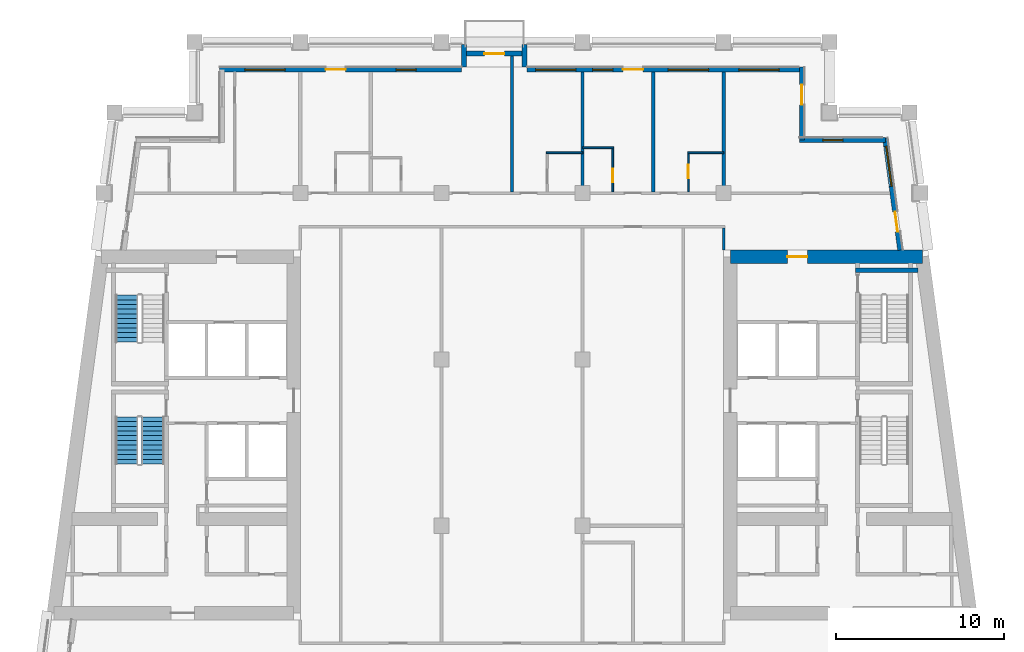
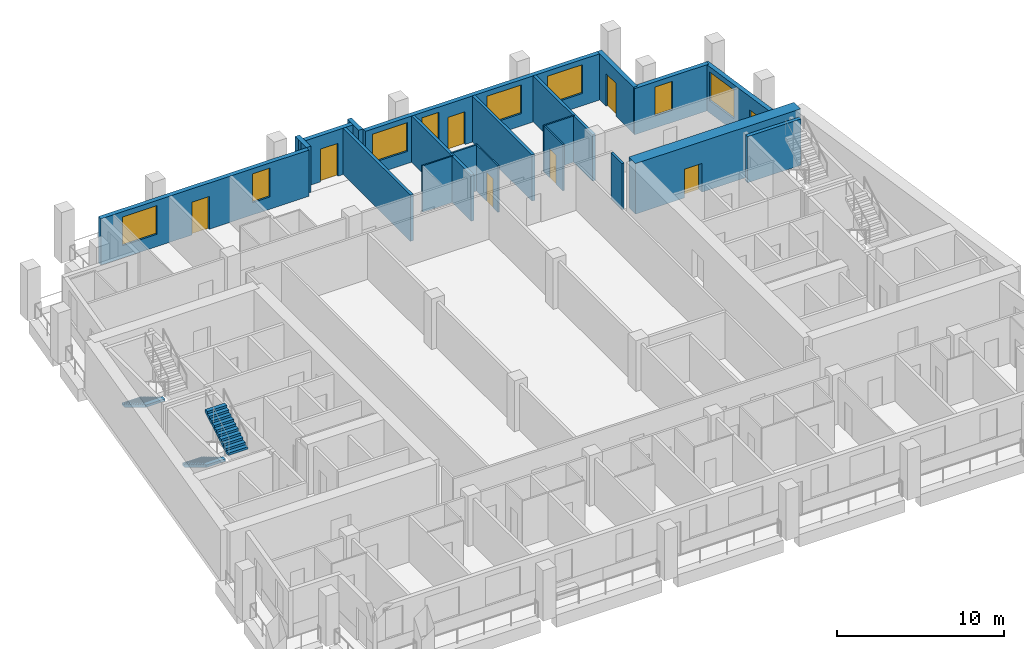
# One storey, part 7 of 13: 20 walls, 8 doors, 8 windows, 3 stair flights, 16 openings, 2 elements without a shape of their own.
"""IFC4 building model written with IfcOpenShell, lengths in metres."""

from ifc_helpers import new_model, si_unit, direction, frame, frame_2d, origin, place, context, subcontext, project, spatial, polyline, rectangle, outline, extrude, material, layer, layer_set, type_object, element, fill, aggregate, save


model = new_model("IFC4")

# Units and contexts
model_context = context("Model", 3, precision=1e-05, world=origin(), true_north=direction((0.0, 1.0)))
body_context = subcontext(model_context, "Body", "Model", "MODEL_VIEW")
ifc_project = project(units=[si_unit("LENGTHUNIT", "METRE"), si_unit("AREAUNIT", "SQUARE_METRE"), si_unit("VOLUMEUNIT", "CUBIC_METRE"), si_unit("PLANEANGLEUNIT", "RADIAN"), si_unit("MASSUNIT", "GRAM", prefix="KILO")], contexts=[model_context])

# Site, building, storey
site_placement = place(None, origin())
site = spatial("IfcSite", under=ifc_project, at=site_placement, CompositionType="ELEMENT")
building_placement = place(site_placement, origin())
building = spatial("IfcBuilding", under=site, at=building_placement, Name="Candeia Pilgrim Tower and Theatre", CompositionType="ELEMENT")
storey_placement = place(building_placement, frame((0.0, 0.0, 202.199951171875)))
storey = spatial("IfcBuildingStorey", under=building, at=storey_placement, Name="L48", CompositionType="ELEMENT", Elevation=202.199951171875)

# Wall, opening, door
ifc_material_1 = material(Name="Concrete C50/60", Category="concrete")
ifc_layer_1 = layer(ifc_material_1, 0.800048828125)
ifc_layer_set_1 = layer_set([ifc_layer_1], Name="Core wall 800 C50/60")
wall_type_1 = type_object("IfcWallType", Name="Core wall 800 C50/60", PredefinedType="SHEAR", material=ifc_layer_set_1)
wall_1_placement = place(storey_placement, frame((126.39990234375, 132.0, 0.0), z_axis=(0.0, 0.0, 1.0), x_axis=(1.0, 0.0, 0.0)))
wall_1 = element("IfcWall", 1, at=wall_1_placement, inside=storey, type_object=wall_type_1, Name="Core wall E1", PredefinedType="SHEAR", context=body_context, shape_type="SweptSolid", body=[
    extrude(rectangle(XDim=11.419677734375, YDim=0.800048828125, at=frame_2d((5.7099609375, 0.0))), origin(), (0.0, 0.0, 1.0), 3.699951171875),
])
opening_1_placement = place(wall_1_placement, frame((3.386474609375, 0.0, 0.0)))
opening_1 = element("IfcOpeningElement", 2, at=opening_1_placement, cuts=wall_1, Name="Opening L48-D062", PredefinedType="OPENING", context=body_context, shape_type="SweptSolid", body=[
    extrude(rectangle(XDim=1.199951171875, YDim=2.10009765625, at=frame_2d((0.60009765625, 1.050048828125))), frame((0.0, 0.41015625, 0.0), z_axis=(0.0, -1.0, 0.0), x_axis=(1.0, 0.0, 0.0)), (0.0, 0.0, 1.0), 0.820068359375),
])
ifc_material_2 = material(Name="Steel fire door set", Category="steel")
door_type_1 = type_object("IfcDoorType", Name="D-1200-FD60", OperationType="NOTDEFINED", PredefinedType="DOOR", material=ifc_material_2)
door_1_placement = place(opening_1_placement, origin())
door_1 = element("IfcDoor", 3, at=door_1_placement, inside=storey, type_object=door_type_1, Name="Door L48-D062", OperationType="SINGLE_SWING_RIGHT", OverallHeight=2.10009765625, OverallWidth=1.199951171875, PredefinedType="DOOR", context=body_context, shape_type="SweptSolid", body=[
    extrude(rectangle(XDim=1.199951171875, YDim=2.10009765625, at=frame_2d((0.60009765625, 1.050048828125))), frame((0.0, 0.02490234375, 0.0), z_axis=(0.0, -1.0, 0.0), x_axis=(1.0, 0.0, 0.0)), (0.0, 0.0, 1.0), 0.050048828125),
])
fill(opening_1, door_1)

# Wall, openings, door, window
ifc_material_3 = material(Name="Ceramic block masonry", Category="masonry")
ifc_layer_2 = layer(ifc_material_3, 0.300048828125)
ifc_layer_set_2 = layer_set([ifc_layer_2], Name="EW1 glazing-line wall 300")
wall_type_2 = type_object("IfcWallType", Name="EW1 glazing-line wall 300", PredefinedType="SOLIDWALL", material=ifc_layer_set_2)
wall_2_placement = place(storey_placement, frame((136.50439453125, 132.39990234375, 0.0), z_axis=(0.0, 0.0, 1.0), x_axis=(-0.133399697462, 0.99106231929, 0.0)))
wall_2 = element("IfcWall", 4, at=wall_2_placement, inside=storey, type_object=wall_type_2, Name="External wall L48-3.1", PredefinedType="SOLIDWALL", context=body_context, shape_type="SweptSolid", body=[
    extrude(rectangle(XDim=6.740478515625, YDim=0.300048828125, at=frame_2d((3.3701171875, 0.0))), origin(), (0.0, 0.0, 1.0), 3.380126953125),
])
opening_2_placement = place(wall_2_placement, frame((1.115234375, 0.0, 0.0)))
opening_2 = element("IfcOpeningElement", 5, at=opening_2_placement, cuts=wall_2, Name="Opening L48-ED454", PredefinedType="OPENING", context=body_context, shape_type="SweptSolid", body=[
    extrude(rectangle(XDim=1.199951171875, YDim=2.39990234375, at=frame_2d((0.60009765625, 1.199951171875))), frame((0.0, 0.16015625, 0.0), z_axis=(0.0, -1.0, 0.0), x_axis=(1.0, 0.0, 0.0)), (0.0, 0.0, 1.0), 0.320068359375),
])
opening_3_placement = place(wall_2_placement, frame((3.83544921875, 0.0, 0.89990234375)))
opening_3 = element("IfcOpeningElement", 6, at=opening_3_placement, cuts=wall_2, Name="Opening W-A", PredefinedType="OPENING", context=body_context, shape_type="SweptSolid", body=[
    extrude(rectangle(XDim=2.39990234375, YDim=2.10009765625, at=frame_2d((1.199951171875, 1.050048828125))), frame((0.0, 0.16015625, 0.0), z_axis=(0.0, -1.0, 0.0), x_axis=(1.0, 0.0, 0.0)), (0.0, 0.0, 1.0), 0.320068359375),
])
ifc_material_4 = material(Name="Aluminium framed glazed door", Category="aluminium")
door_type_2 = type_object("IfcDoorType", Name="Loggia door 1200x2400", OperationType="DOUBLE_DOOR_SINGLE_SWING", PredefinedType="DOOR", material=ifc_material_4)
door_2_placement = place(opening_2_placement, origin())
door_2 = element("IfcDoor", 7, at=door_2_placement, inside=storey, type_object=door_type_2, Name="Loggia door L48-ED454", OperationType="DOUBLE_DOOR_SINGLE_SWING", OverallHeight=2.39990234375, OverallWidth=1.199951171875, PredefinedType="DOOR", context=body_context, shape_type="SweptSolid", body=[
    extrude(rectangle(XDim=1.199951171875, YDim=2.39990234375, at=frame_2d((0.60009765625, 1.199951171875))), frame((0.0, 0.02490234375, 0.0), z_axis=(0.0, -1.0, 0.0), x_axis=(1.0, 0.0, 0.0)), (0.0, 0.0, 1.0), 0.050048828125),
])
fill(opening_2, door_2)
ifc_material_5 = material(Name="Aluminium framed double glazing", Category="aluminium")
window_type_1 = type_object("IfcWindowType", Name="W-A window 2400x2100", PartitioningType="DOUBLE_PANEL_VERTICAL", PredefinedType="WINDOW", material=ifc_material_5)
window_1_placement = place(opening_3_placement, origin())
window_1 = element("IfcWindow", 8, at=window_1_placement, inside=storey, type_object=window_type_1, Name="Window W-A L48", OverallHeight=2.10009765625, OverallWidth=2.39990234375, PartitioningType="SINGLE_PANEL", PredefinedType="WINDOW", context=body_context, shape_type="SweptSolid", body=[
    extrude(rectangle(XDim=2.39990234375, YDim=2.10009765625, at=frame_2d((1.199951171875, 1.050048828125))), frame((0.0, 0.030029296875, 0.0), z_axis=(0.0, -1.0, 0.0), x_axis=(1.0, 0.0, 0.0)), (0.0, 0.0, 1.0), 0.06005859375),
])
fill(opening_3, window_1)

# Wall, opening, window
wall_3_placement = place(storey_placement, frame((135.62255859375, 138.949951171875, 0.0), z_axis=(0.0, 0.0, 1.0), x_axis=(-1.0, 0.0, 0.0)))
wall_3 = element("IfcWall", 9, at=wall_3_placement, inside=storey, type_object=wall_type_2, Name="External wall L48-4.0", PredefinedType="SOLIDWALL", context=body_context, shape_type="SweptSolid", body=[
    extrude(rectangle(XDim=5.12255859375, YDim=0.300048828125, at=frame_2d((2.561279296875, 0.0))), origin(), (0.0, 0.0, 1.0), 3.380126953125),
])
opening_4_placement = place(wall_3_placement, frame((2.522705078125, 0.0, 0.89990234375)))
opening_4 = element("IfcOpeningElement", 10, at=opening_4_placement, cuts=wall_3, Name="Opening W-B", PredefinedType="OPENING", context=body_context, shape_type="SweptSolid", body=[
    extrude(rectangle(XDim=1.199951171875, YDim=2.10009765625, at=frame_2d((0.60009765625, 1.050048828125))), frame((0.0, 0.16015625, 0.0), z_axis=(0.0, -1.0, 0.0), x_axis=(1.0, 0.0, 0.0)), (0.0, 0.0, 1.0), 0.320068359375),
])
window_type_2 = type_object("IfcWindowType", Name="W-B window 1200x2100", PartitioningType="SINGLE_PANEL", PredefinedType="WINDOW", material=ifc_material_5)
window_2_placement = place(opening_4_placement, origin())
window_2 = element("IfcWindow", 11, at=window_2_placement, inside=storey, type_object=window_type_2, Name="Window W-B L48", OverallHeight=2.10009765625, OverallWidth=1.199951171875, PartitioningType="SINGLE_PANEL", PredefinedType="WINDOW", context=body_context, shape_type="SweptSolid", body=[
    extrude(rectangle(XDim=1.199951171875, YDim=2.10009765625, at=frame_2d((0.60009765625, 1.050048828125))), frame((0.0, 0.030029296875, 0.0), z_axis=(0.0, -1.0, 0.0), x_axis=(1.0, 0.0, 0.0)), (0.0, 0.0, 1.0), 0.06005859375),
])
fill(opening_4, window_2)

# Wall, opening, door
wall_4_placement = place(storey_placement, frame((130.64990234375, 138.949951171875, 0.0), z_axis=(0.0, 0.0, 1.0), x_axis=(0.0, 1.0, 0.0)))
wall_4 = element("IfcWall", 12, at=wall_4_placement, inside=storey, type_object=wall_type_2, Name="External wall L48-5.0", PredefinedType="SOLIDWALL", context=body_context, shape_type="SweptSolid", body=[
    extrude(rectangle(XDim=4.35009765625, YDim=0.300048828125, at=frame_2d((2.175048828125, 0.0))), origin(), (0.0, 0.0, 1.0), 3.380126953125),
])
opening_5_placement = place(wall_4_placement, frame((2.10009765625, 0.0, 0.0)))
opening_5 = element("IfcOpeningElement", 13, at=opening_5_placement, cuts=wall_4, Name="Opening L48-ED455", PredefinedType="OPENING", context=body_context, shape_type="SweptSolid", body=[
    extrude(rectangle(XDim=1.199951171875, YDim=2.39990234375, at=frame_2d((0.60009765625, 1.199951171875))), frame((0.0, 0.16015625, 0.0), z_axis=(0.0, -1.0, 0.0), x_axis=(1.0, 0.0, 0.0)), (0.0, 0.0, 1.0), 0.320068359375),
])
door_3_placement = place(opening_5_placement, origin())
door_3 = element("IfcDoor", 14, at=door_3_placement, inside=storey, type_object=door_type_2, Name="Loggia door L48-ED455", OperationType="DOUBLE_DOOR_SINGLE_SWING", OverallHeight=2.39990234375, OverallWidth=1.199951171875, PredefinedType="DOOR", context=body_context, shape_type="SweptSolid", body=[
    extrude(rectangle(XDim=1.199951171875, YDim=2.39990234375, at=frame_2d((0.60009765625, 1.199951171875))), frame((0.0, 0.02490234375, 0.0), z_axis=(0.0, -1.0, 0.0), x_axis=(1.0, 0.0, 0.0)), (0.0, 0.0, 1.0), 0.050048828125),
])
fill(opening_5, door_3)

# Wall, openings, door, windows
wall_5_placement = place(storey_placement, frame((130.64990234375, 143.14990234375, 0.0), z_axis=(0.0, 0.0, 1.0), x_axis=(-1.0, 0.0, 0.0)))
wall_5 = element("IfcWall", 15, at=wall_5_placement, inside=storey, type_object=wall_type_2, Name="External wall L48-6.0", PredefinedType="SOLIDWALL", context=body_context, shape_type="SweptSolid", body=[
    extrude(rectangle(XDim=16.349853515625, YDim=0.300048828125, at=frame_2d((8.1748046875, 0.0))), origin(), (0.0, 0.0, 1.0), 3.380126953125),
])
opening_6_placement = place(wall_5_placement, frame((1.35009765625, 0.0, 0.89990234375)))
opening_6 = element("IfcOpeningElement", 16, at=opening_6_placement, cuts=wall_5, Name="Opening W-A", PredefinedType="OPENING", context=body_context, shape_type="SweptSolid", body=[
    extrude(rectangle(XDim=2.39990234375, YDim=2.10009765625, at=frame_2d((1.199951171875, 1.050048828125))), frame((0.0, 0.16015625, 0.0), z_axis=(0.0, -1.0, 0.0), x_axis=(1.0, 0.0, 0.0)), (0.0, 0.0, 1.0), 0.320068359375),
])
opening_7_placement = place(wall_5_placement, frame((5.550048828125, 0.0, 0.89990234375)))
opening_7 = element("IfcOpeningElement", 17, at=opening_7_placement, cuts=wall_5, Name="Opening W-A", PredefinedType="OPENING", context=body_context, shape_type="SweptSolid", body=[
    extrude(rectangle(XDim=2.39990234375, YDim=2.10009765625, at=frame_2d((1.199951171875, 1.050048828125))), frame((0.0, 0.16015625, 0.0), z_axis=(0.0, -1.0, 0.0), x_axis=(1.0, 0.0, 0.0)), (0.0, 0.0, 1.0), 0.320068359375),
])
opening_8_placement = place(wall_5_placement, frame((9.449951171875, 0.0, 0.0)))
opening_8 = element("IfcOpeningElement", 18, at=opening_8_placement, cuts=wall_5, Name="Opening L48-ED456", PredefinedType="OPENING", context=body_context, shape_type="SweptSolid", body=[
    extrude(rectangle(XDim=1.199951171875, YDim=2.39990234375, at=frame_2d((0.60009765625, 1.199951171875))), frame((0.0, 0.16015625, 0.0), z_axis=(0.0, -1.0, 0.0), x_axis=(1.0, 0.0, 0.0)), (0.0, 0.0, 1.0), 0.320068359375),
])
opening_9_placement = place(wall_5_placement, frame((11.25, 0.0, 0.89990234375)))
opening_9 = element("IfcOpeningElement", 19, at=opening_9_placement, cuts=wall_5, Name="Opening W-B", PredefinedType="OPENING", context=body_context, shape_type="SweptSolid", body=[
    extrude(rectangle(XDim=1.199951171875, YDim=2.10009765625, at=frame_2d((0.60009765625, 1.050048828125))), frame((0.0, 0.16015625, 0.0), z_axis=(0.0, -1.0, 0.0), x_axis=(1.0, 0.0, 0.0)), (0.0, 0.0, 1.0), 0.320068359375),
])
opening_10_placement = place(wall_5_placement, frame((13.449951171875, 0.0, 0.89990234375)))
opening_10 = element("IfcOpeningElement", 20, at=opening_10_placement, cuts=wall_5, Name="Opening W-A", PredefinedType="OPENING", context=body_context, shape_type="SweptSolid", body=[
    extrude(rectangle(XDim=2.39990234375, YDim=2.10009765625, at=frame_2d((1.199951171875, 1.050048828125))), frame((0.0, 0.16015625, 0.0), z_axis=(0.0, -1.0, 0.0), x_axis=(1.0, 0.0, 0.0)), (0.0, 0.0, 1.0), 0.320068359375),
])
door_4_placement = place(opening_8_placement, origin())
door_4 = element("IfcDoor", 21, at=door_4_placement, inside=storey, type_object=door_type_2, Name="Loggia door L48-ED456", OperationType="DOUBLE_DOOR_SINGLE_SWING", OverallHeight=2.39990234375, OverallWidth=1.199951171875, PredefinedType="DOOR", context=body_context, shape_type="SweptSolid", body=[
    extrude(rectangle(XDim=1.199951171875, YDim=2.39990234375, at=frame_2d((0.60009765625, 1.199951171875))), frame((0.0, 0.02490234375, 0.0), z_axis=(0.0, -1.0, 0.0), x_axis=(1.0, 0.0, 0.0)), (0.0, 0.0, 1.0), 0.050048828125),
])
fill(opening_8, door_4)
window_3_placement = place(opening_6_placement, origin())
window_3 = element("IfcWindow", 22, at=window_3_placement, inside=storey, type_object=window_type_1, Name="Window W-A L48", OverallHeight=2.10009765625, OverallWidth=2.39990234375, PartitioningType="SINGLE_PANEL", PredefinedType="WINDOW", context=body_context, shape_type="SweptSolid", body=[
    extrude(rectangle(XDim=2.39990234375, YDim=2.10009765625, at=frame_2d((1.199951171875, 1.050048828125))), frame((0.0, 0.030029296875, 0.0), z_axis=(0.0, -1.0, 0.0), x_axis=(1.0, 0.0, 0.0)), (0.0, 0.0, 1.0), 0.06005859375),
])
fill(opening_6, window_3)
window_4_placement = place(opening_7_placement, origin())
window_4 = element("IfcWindow", 23, at=window_4_placement, inside=storey, type_object=window_type_1, Name="Window W-A L48", OverallHeight=2.10009765625, OverallWidth=2.39990234375, PartitioningType="SINGLE_PANEL", PredefinedType="WINDOW", context=body_context, shape_type="SweptSolid", body=[
    extrude(rectangle(XDim=2.39990234375, YDim=2.10009765625, at=frame_2d((1.199951171875, 1.050048828125))), frame((0.0, 0.030029296875, 0.0), z_axis=(0.0, -1.0, 0.0), x_axis=(1.0, 0.0, 0.0)), (0.0, 0.0, 1.0), 0.06005859375),
])
fill(opening_7, window_4)
window_5_placement = place(opening_10_placement, origin())
window_5 = element("IfcWindow", 24, at=window_5_placement, inside=storey, type_object=window_type_1, Name="Window W-A L48", OverallHeight=2.10009765625, OverallWidth=2.39990234375, PartitioningType="SINGLE_PANEL", PredefinedType="WINDOW", context=body_context, shape_type="SweptSolid", body=[
    extrude(rectangle(XDim=2.39990234375, YDim=2.10009765625, at=frame_2d((1.199951171875, 1.050048828125))), frame((0.0, 0.030029296875, 0.0), z_axis=(0.0, -1.0, 0.0), x_axis=(1.0, 0.0, 0.0)), (0.0, 0.0, 1.0), 0.06005859375),
])
fill(opening_10, window_5)
window_6_placement = place(opening_9_placement, origin())
window_6 = element("IfcWindow", 25, at=window_6_placement, inside=storey, type_object=window_type_2, Name="Window W-B L48", OverallHeight=2.10009765625, OverallWidth=1.199951171875, PartitioningType="SINGLE_PANEL", PredefinedType="WINDOW", context=body_context, shape_type="SweptSolid", body=[
    extrude(rectangle(XDim=1.199951171875, YDim=2.10009765625, at=frame_2d((0.60009765625, 1.050048828125))), frame((0.0, 0.030029296875, 0.0), z_axis=(0.0, -1.0, 0.0), x_axis=(1.0, 0.0, 0.0)), (0.0, 0.0, 1.0), 0.06005859375),
])
fill(opening_9, window_6)

wall_6_placement = place(storey_placement, frame((110.39990234375, 143.14990234375, 0.0), z_axis=(0.0, 0.0, 1.0), x_axis=(-1.0, 0.0, 0.0)))
wall_6 = element("IfcWall", 26, at=wall_6_placement, inside=storey, type_object=wall_type_2, Name="External wall L48-6.1", PredefinedType="SOLIDWALL", context=body_context, shape_type="SweptSolid", body=[
    extrude(rectangle(XDim=14.39990234375, YDim=0.300048828125, at=frame_2d((7.199951171875, 0.0))), origin(), (0.0, 0.0, 1.0), 3.380126953125),
])
opening_11_placement = place(wall_6_placement, frame((2.699951171875, 0.0, 0.89990234375)))
opening_11 = element("IfcOpeningElement", 27, at=opening_11_placement, cuts=wall_6, Name="Opening W-B", PredefinedType="OPENING", context=body_context, shape_type="SweptSolid", body=[
    extrude(rectangle(XDim=1.199951171875, YDim=2.10009765625, at=frame_2d((0.60009765625, 1.050048828125))), frame((0.0, 0.16015625, 0.0), z_axis=(0.0, -1.0, 0.0), x_axis=(1.0, 0.0, 0.0)), (0.0, 0.0, 1.0), 0.320068359375),
])
opening_12_placement = place(wall_6_placement, frame((6.89990234375, 0.0, 0.0)))
opening_12 = element("IfcOpeningElement", 28, at=opening_12_placement, cuts=wall_6, Name="Opening L48-ED457", PredefinedType="OPENING", context=body_context, shape_type="SweptSolid", body=[
    extrude(rectangle(XDim=1.199951171875, YDim=2.39990234375, at=frame_2d((0.60009765625, 1.199951171875))), frame((0.0, 0.16015625, 0.0), z_axis=(0.0, -1.0, 0.0), x_axis=(1.0, 0.0, 0.0)), (0.0, 0.0, 1.0), 0.320068359375),
])
opening_13_placement = place(wall_6_placement, frame((10.5, 0.0, 0.89990234375)))
opening_13 = element("IfcOpeningElement", 29, at=opening_13_placement, cuts=wall_6, Name="Opening W-A", PredefinedType="OPENING", context=body_context, shape_type="SweptSolid", body=[
    extrude(rectangle(XDim=2.39990234375, YDim=2.10009765625, at=frame_2d((1.199951171875, 1.050048828125))), frame((0.0, 0.16015625, 0.0), z_axis=(0.0, -1.0, 0.0), x_axis=(1.0, 0.0, 0.0)), (0.0, 0.0, 1.0), 0.320068359375),
])
door_5_placement = place(opening_12_placement, origin())
door_5 = element("IfcDoor", 30, at=door_5_placement, inside=storey, type_object=door_type_2, Name="Loggia door L48-ED457", OperationType="DOUBLE_DOOR_SINGLE_SWING", OverallHeight=2.39990234375, OverallWidth=1.199951171875, PredefinedType="DOOR", context=body_context, shape_type="SweptSolid", body=[
    extrude(rectangle(XDim=1.199951171875, YDim=2.39990234375, at=frame_2d((0.60009765625, 1.199951171875))), frame((0.0, 0.02490234375, 0.0), z_axis=(0.0, -1.0, 0.0), x_axis=(1.0, 0.0, 0.0)), (0.0, 0.0, 1.0), 0.050048828125),
])
fill(opening_12, door_5)
window_7_placement = place(opening_13_placement, origin())
window_7 = element("IfcWindow", 31, at=window_7_placement, inside=storey, type_object=window_type_1, Name="Window W-A L48", OverallHeight=2.10009765625, OverallWidth=2.39990234375, PartitioningType="SINGLE_PANEL", PredefinedType="WINDOW", context=body_context, shape_type="SweptSolid", body=[
    extrude(rectangle(XDim=2.39990234375, YDim=2.10009765625, at=frame_2d((1.199951171875, 1.050048828125))), frame((0.0, 0.030029296875, 0.0), z_axis=(0.0, -1.0, 0.0), x_axis=(1.0, 0.0, 0.0)), (0.0, 0.0, 1.0), 0.06005859375),
])
fill(opening_13, window_7)
window_8_placement = place(opening_11_placement, origin())
window_8 = element("IfcWindow", 32, at=window_8_placement, inside=storey, type_object=window_type_2, Name="Window W-B L48", OverallHeight=2.10009765625, OverallWidth=1.199951171875, PartitioningType="SINGLE_PANEL", PredefinedType="WINDOW", context=body_context, shape_type="SweptSolid", body=[
    extrude(rectangle(XDim=1.199951171875, YDim=2.10009765625, at=frame_2d((0.60009765625, 1.050048828125))), frame((0.0, 0.030029296875, 0.0), z_axis=(0.0, -1.0, 0.0), x_axis=(1.0, 0.0, 0.0)), (0.0, 0.0, 1.0), 0.06005859375),
])
fill(opening_11, window_8)

# Walls
ifc_layer_3 = layer(ifc_material_3, 0.300048828125)
ifc_layer_set_3 = layer_set([ifc_layer_3], Name="EW2 entrance infill wall 300")
wall_type_3 = type_object("IfcWallType", Name="EW2 entrance infill wall 300", PredefinedType="SOLIDWALL", material=ifc_layer_set_3)
for number, where, z_axis, x_axis, name in (
    (33, (114.14990234375, 143.300048828125, 0.0), (0.0, 0.0, 1.0), (0.0, 1.0, 0.0), "Alcove wall L48"),
    (34, (110.550048828125, 143.300048828125, 0.0), (0.0, 0.0, 1.0), (0.0, 1.0, 0.0), "Alcove wall L48"),
):
    element("IfcWall", number, at=place(storey_placement, frame(where, z_axis=z_axis, x_axis=x_axis)), inside=storey, type_object=wall_type_3, Name=name, PredefinedType="SOLIDWALL", context=body_context, shape_type="SweptSolid", body=[
        extrude(rectangle(XDim=1.349853515625, YDim=0.300048828125, at=frame_2d((0.6748046875, 0.0))), origin(), (0.0, 0.0, 1.0), 3.380126953125),
    ])

# Wall, opening, door
wall_7_placement = place(storey_placement, frame((114.300048828125, 144.10009765625, 0.0), z_axis=(0.0, 0.0, 1.0), x_axis=(-1.0, 0.0, 0.0)))
wall_7 = element("IfcWall", 35, at=wall_7_placement, inside=storey, type_object=wall_type_3, Name="Alcove wall L48", PredefinedType="SOLIDWALL", context=body_context, shape_type="SweptSolid", body=[
    extrude(rectangle(XDim=3.900146484375, YDim=0.300048828125, at=frame_2d((1.9501953125, 0.0))), origin(), (0.0, 0.0, 1.0), 3.380126953125),
])
opening_14_placement = place(wall_7_placement, frame((1.35009765625, 0.0, 0.0)))
opening_14 = element("IfcOpeningElement", 36, at=opening_14_placement, cuts=wall_7, Name="Opening L48-ED458", PredefinedType="OPENING", context=body_context, shape_type="SweptSolid", body=[
    extrude(rectangle(XDim=1.199951171875, YDim=2.39990234375, at=frame_2d((0.60009765625, 1.199951171875))), frame((0.0, 0.16015625, 0.0), z_axis=(0.0, -1.0, 0.0), x_axis=(1.0, 0.0, 0.0)), (0.0, 0.0, 1.0), 0.320068359375),
])
door_6_placement = place(opening_14_placement, origin())
door_6 = element("IfcDoor", 37, at=door_6_placement, inside=storey, type_object=door_type_2, Name="Balcony door L48-ED458", OperationType="DOUBLE_DOOR_SINGLE_SWING", OverallHeight=2.39990234375, OverallWidth=1.199951171875, PredefinedType="DOOR", context=body_context, shape_type="SweptSolid", body=[
    extrude(rectangle(XDim=1.199951171875, YDim=2.39990234375, at=frame_2d((0.60009765625, 1.199951171875))), frame((0.0, 0.02490234375, 0.0), z_axis=(0.0, -1.0, 0.0), x_axis=(1.0, 0.0, 0.0)), (0.0, 0.0, 1.0), 0.050048828125),
])
fill(opening_14, door_6)

# Walls
ifc_material_6 = material(Name="Gypsum board partition on steel studs", Category="steel")
ifc_layer_4 = layer(ifc_material_6, 0.10009765625)
ifc_layer_set_4 = layer_set([ifc_layer_4], Name="PW-100 room partition")
wall_type_4 = type_object("IfcWallType", Name="PW-100 room partition", PredefinedType="PARTITIONING", material=ifc_layer_set_4)
wall_8_placement = place(storey_placement, frame((115.449951171875, 138.199951171875, 0.0), z_axis=(0.0, 0.0, 1.0), x_axis=(1.0, 0.0, 0.0)))
element("IfcWall", 38, at=wall_8_placement, inside=storey, type_object=wall_type_4, Name="Room partition L48-046", PredefinedType="PARTITIONING", context=body_context, shape_type="SweptSolid", body=[
    extrude(rectangle(XDim=2.150146484375, YDim=0.10009765625, at=frame_2d((1.0751953125, 0.0))), origin(), (0.0, 0.0, 1.0), 3.380126953125),
])
wall_9_placement = place(storey_placement, frame((123.85009765625, 138.199951171875, 0.0), z_axis=(0.0, 0.0, 1.0), x_axis=(1.0, 0.0, 0.0)))
element("IfcWall", 39, at=wall_9_placement, inside=storey, type_object=wall_type_4, Name="Room partition L48-047", PredefinedType="PARTITIONING", context=body_context, shape_type="SweptSolid", body=[
    extrude(rectangle(XDim=2.14990234375, YDim=0.10009765625, at=frame_2d((1.074951171875, 0.0))), origin(), (0.0, 0.0, 1.0), 3.380126953125),
])
wall_10_placement = place(storey_placement, frame((117.60009765625, 138.5, 0.0), z_axis=(0.0, 0.0, 1.0), x_axis=(1.0, 0.0, 0.0)))
element("IfcWall", 40, at=wall_10_placement, inside=storey, type_object=wall_type_4, Name="Room partition L48-049", PredefinedType="PARTITIONING", context=body_context, shape_type="SweptSolid", body=[
    extrude(rectangle(XDim=1.849853515625, YDim=0.10009765625, at=frame_2d((0.9248046875, 0.0))), origin(), (0.0, 0.0, 1.0), 3.380126953125),
])

# Wall, opening, door
wall_11_placement = place(storey_placement, frame((119.39990234375, 135.875, 0.0), z_axis=(0.0, 0.0, 1.0), x_axis=(0.0, 1.0, 0.0)))
wall_11 = element("IfcWall", 41, at=wall_11_placement, inside=storey, type_object=wall_type_4, Name="Room partition L48-095", PredefinedType="PARTITIONING", context=body_context, shape_type="SweptSolid", body=[
    extrude(rectangle(XDim=2.574951171875, YDim=0.10009765625, at=frame_2d((1.28759765625, 0.0))), origin(), (0.0, 0.0, 1.0), 3.380126953125),
])
opening_15_placement = place(wall_11_placement, frame((0.574951171875, 0.0, 0.0)))
opening_15 = element("IfcOpeningElement", 42, at=opening_15_placement, cuts=wall_11, Name="Opening L48-D049", PredefinedType="OPENING", context=body_context, shape_type="SweptSolid", body=[
    extrude(rectangle(XDim=0.800048828125, YDim=2.10009765625, at=frame_2d((0.39990234375, 1.050048828125))), frame((0.0, 0.06005859375, 0.0), z_axis=(0.0, -1.0, 0.0), x_axis=(1.0, 0.0, 0.0)), (0.0, 0.0, 1.0), 0.1201171875),
])
ifc_material_7 = material(Name="Timber door leaf", Category="wood")
door_type_3 = type_object("IfcDoorType", Name="D-800", OperationType="NOTDEFINED", PredefinedType="DOOR", material=ifc_material_7)
door_7_placement = place(opening_15_placement, origin())
door_7 = element("IfcDoor", 43, at=door_7_placement, inside=storey, type_object=door_type_3, Name="Door L48-D049", OperationType="SINGLE_SWING_LEFT", OverallHeight=2.10009765625, OverallWidth=0.800048828125, PredefinedType="DOOR", context=body_context, shape_type="SweptSolid", body=[
    extrude(rectangle(XDim=0.800048828125, YDim=2.10009765625, at=frame_2d((0.39990234375, 1.050048828125))), frame((0.0, 0.02490234375, 0.0), z_axis=(0.0, -1.0, 0.0), x_axis=(1.0, 0.0, 0.0)), (0.0, 0.0, 1.0), 0.050048828125),
])
fill(opening_15, door_7)

wall_12_placement = place(storey_placement, frame((123.89990234375, 135.875, 0.0), z_axis=(0.0, 0.0, 1.0), x_axis=(0.0, 1.0, 0.0)))
wall_12 = element("IfcWall", 44, at=wall_12_placement, inside=storey, type_object=wall_type_4, Name="Room partition L48-100", PredefinedType="PARTITIONING", context=body_context, shape_type="SweptSolid", body=[
    extrude(rectangle(XDim=2.27490234375, YDim=0.10009765625, at=frame_2d((1.137451171875, 0.0))), origin(), (0.0, 0.0, 1.0), 3.380126953125),
])
opening_16_placement = place(wall_12_placement, frame((0.81494140625, 0.0, 0.0)))
opening_16 = element("IfcOpeningElement", 45, at=opening_16_placement, cuts=wall_12, Name="Opening L48-D051", PredefinedType="OPENING", context=body_context, shape_type="SweptSolid", body=[
    extrude(rectangle(XDim=0.800048828125, YDim=2.10009765625, at=frame_2d((0.39990234375, 1.050048828125))), frame((0.0, 0.06005859375, 0.0), z_axis=(0.0, -1.0, 0.0), x_axis=(1.0, 0.0, 0.0)), (0.0, 0.0, 1.0), 0.1201171875),
])
door_8_placement = place(opening_16_placement, origin())
door_8 = element("IfcDoor", 46, at=door_8_placement, inside=storey, type_object=door_type_3, Name="Door L48-D051", OperationType="SINGLE_SWING_LEFT", OverallHeight=2.10009765625, OverallWidth=0.800048828125, PredefinedType="DOOR", context=body_context, shape_type="SweptSolid", body=[
    extrude(rectangle(XDim=0.800048828125, YDim=2.10009765625, at=frame_2d((0.39990234375, 1.050048828125))), frame((0.0, 0.02490234375, 0.0), z_axis=(0.0, -1.0, 0.0), x_axis=(1.0, 0.0, 0.0)), (0.0, 0.0, 1.0), 0.050048828125),
])
fill(opening_16, door_8)

# Walls
ifc_layer_5 = layer(ifc_material_6, 0.14990234375)
ifc_layer_set_5 = layer_set([ifc_layer_5], Name="PW-150 unit wall")
wall_type_5 = type_object("IfcWallType", Name="PW-150 unit wall", PredefinedType="PARTITIONING", material=ifc_layer_set_5)
wall_13_placement = place(storey_placement, frame((126.0, 132.39990234375, 0.0), z_axis=(0.0, 0.0, 1.0), x_axis=(0.0, 1.0, 0.0)))
element("IfcWall", 47, at=wall_13_placement, inside=storey, type_object=wall_type_5, Name="Unit wall L48-105", PredefinedType="PARTITIONING", context=body_context, shape_type="SweptSolid", body=[
    extrude(rectangle(XDim=1.3251953125, YDim=0.14990234375, at=frame_2d((0.66259765625, 0.0))), origin(), (0.0, 0.0, 1.0), 3.380126953125),
])
ifc_layer_6 = layer(ifc_material_6, 0.199951171875)
ifc_layer_set_6 = layer_set([ifc_layer_6], Name="PW-200 party wall")
wall_type_6 = type_object("IfcWallType", Name="PW-200 party wall", PredefinedType="PARTITIONING", material=ifc_layer_set_6)
wall_14_placement = place(storey_placement, frame((113.39990234375, 135.875, 0.0), z_axis=(0.0, 0.0, 1.0), x_axis=(0.0, 1.0, 0.0)))
element("IfcWall", 48, at=wall_14_placement, inside=storey, type_object=wall_type_6, Name="Party wall L48-088", PredefinedType="PARTITIONING", context=body_context, shape_type="SweptSolid", body=[
    extrude(rectangle(XDim=8.0849609375, YDim=0.199951171875, at=frame_2d((4.04248046875, 0.0))), origin(), (0.0, 0.0, 1.0), 3.380126953125),
])
for number, where, z_axis, x_axis, name in (
    (49, (117.60009765625, 135.875, 0.0), (0.0, 0.0, 1.0), (0.0, 1.0, 0.0), "Party wall L48-093"),
    (50, (121.800048828125, 135.875, 0.0), (0.0, 0.0, 1.0), (0.0, 1.0, 0.0), "Party wall L48-098"),
    (51, (126.0, 135.875, 0.0), (0.0, 0.0, 1.0), (0.0, 1.0, 0.0), "Party wall L48-103"),
):
    element("IfcWall", number, at=place(storey_placement, frame(where, z_axis=z_axis, x_axis=x_axis)), inside=storey, type_object=wall_type_6, Name=name, PredefinedType="PARTITIONING", context=body_context, shape_type="SweptSolid", body=[
        extrude(rectangle(XDim=7.135009765625, YDim=0.199951171875, at=frame_2d((3.5673828125, 0.0))), origin(), (0.0, 0.0, 1.0), 3.380126953125),
    ])
ifc_material_8 = material(Name="Concrete C40/50", Category="concrete")
ifc_layer_7 = layer(ifc_material_8, 0.25)
ifc_layer_set_7 = layer_set([ifc_layer_7], Name="SW-250 stair wall")
wall_type_7 = type_object("IfcWallType", Name="SW-250 stair wall", PredefinedType="PARTITIONING", material=ifc_layer_set_7)
wall_15_placement = place(storey_placement, frame((133.847900390625, 131.199951171875, 0.0), z_axis=(0.0, 0.0, 1.0), x_axis=(1.0, 0.0, 0.0)))
element("IfcWall", 52, at=wall_15_placement, inside=storey, type_object=wall_type_7, Name="Stair wall L48-041", PredefinedType="PARTITIONING", context=body_context, shape_type="SweptSolid", body=[
    extrude(rectangle(XDim=3.705810546875, YDim=0.25, at=frame_2d((1.85302734375, 0.0))), origin(), (0.0, 0.0, 1.0), 3.380126953125),
])

# Stair, stair flights
stair_type = type_object("IfcStairType", Name="ST-TWR dog-leg escape stair", PredefinedType="HALF_TURN_STAIR", material=ifc_material_8)
stair_1_placement = place(storey_placement, origin())
stair_1 = element("IfcStair", 53, at=stair_1_placement, inside=storey, type_object=stair_type, Name="L48 Escape stair ST1", PredefinedType="HALF_TURN_STAIR")
stair_flight_type = type_object("IfcStairFlightType", Name="SFL-RC stair flight", PredefinedType="STRAIGHT", material=ifc_material_8)
stair_flight_1_placement = place(storey_placement, frame((90.47705078125, 122.47509765625, 0.0), z_axis=(0.0, 0.0, 1.0), x_axis=(0.0, -1.0, 0.0)))
stair_flight_1 = element("IfcStairFlight", 54, at=stair_flight_1_placement, type_object=stair_flight_type, Name="ST1 flight 1", NumberOfRisers=11, NumberOfTreads=10, PredefinedType="STRAIGHT", RiserHeight=0.168181818, TreadLength=0.28, context=body_context, shape_type="SweptSolid", body=[
    extrude(outline(polyline([(0.0, 0.0), (0.0, 0.168212890625), (0.280029296875, 0.168212890625), (0.280029296875, 0.33642578125), (0.56005859375, 0.33642578125), (0.56005859375, 0.504638671875), (0.840087890625, 0.504638671875), (0.840087890625, 0.672607421875), (1.1201171875, 0.672607421875), (1.1201171875, 0.8408203125), (1.39990234375, 0.8408203125), (1.39990234375, 1.009033203125), (1.679931640625, 1.009033203125), (1.679931640625, 1.17724609375), (1.9599609375, 1.17724609375), (1.9599609375, 1.345458984375), (2.239990234375, 1.345458984375), (2.239990234375, 1.513671875), (2.52001953125, 1.513671875), (2.52001953125, 1.681884765625), (2.800048828125, 1.681884765625), (2.800048828125, 1.85009765625), (2.800048828125, 1.5068359375), (0.291015625, 0.0), (0.0, 0.0)])), frame((0.0, 0.675048828125, 0.0), z_axis=(0.0, -1.0, 0.0), x_axis=(1.0, 0.0, 0.0)), (0.0, 0.0, 1.0), 1.35009765625),
])
stair_flight_2_placement = place(storey_placement, frame((92.027099609375, 119.675048828125, 1.85009765625), z_axis=(0.0, 0.0, 1.0), x_axis=(0.0, 1.0, 0.0)))
stair_flight_2 = element("IfcStairFlight", 55, at=stair_flight_2_placement, type_object=stair_flight_type, Name="ST1 flight 2", NumberOfRisers=11, NumberOfTreads=10, PredefinedType="STRAIGHT", RiserHeight=0.168181818, TreadLength=0.28, context=body_context, shape_type="SweptSolid", body=[
    extrude(outline(polyline([(0.0, 0.0), (0.0, 0.168212890625), (0.280029296875, 0.168212890625), (0.280029296875, 0.33642578125), (0.56005859375, 0.33642578125), (0.56005859375, 0.504638671875), (0.840087890625, 0.504638671875), (0.840087890625, 0.672607421875), (1.1201171875, 0.672607421875), (1.1201171875, 0.8408203125), (1.39990234375, 0.8408203125), (1.39990234375, 1.009033203125), (1.679931640625, 1.009033203125), (1.679931640625, 1.17724609375), (1.9599609375, 1.17724609375), (1.9599609375, 1.345458984375), (2.239990234375, 1.345458984375), (2.239990234375, 1.513671875), (2.52001953125, 1.513671875), (2.52001953125, 1.681884765625), (2.800048828125, 1.681884765625), (2.800048828125, 1.85009765625), (2.800048828125, 1.5068359375), (0.291015625, 0.0), (0.0, 0.0)])), frame((0.0, 0.675048828125, 0.0), z_axis=(0.0, -1.0, 0.0), x_axis=(1.0, 0.0, 0.0)), (0.0, 0.0, 1.0), 1.35009765625),
])
aggregate(stair_1, [stair_flight_1, stair_flight_2])

# Stair, stair flight
stair_2_placement = place(storey_placement, origin())
stair_2 = element("IfcStair", 56, at=stair_2_placement, inside=storey, type_object=stair_type, Name="L48 Escape stair ST2", PredefinedType="HALF_TURN_STAIR")
stair_flight_3_placement = place(storey_placement, frame((90.47705078125, 129.72509765625, 0.0), z_axis=(0.0, 0.0, 1.0), x_axis=(0.0, -1.0, 0.0)))
stair_flight_3 = element("IfcStairFlight", 57, at=stair_flight_3_placement, type_object=stair_flight_type, Name="ST2 flight 1", NumberOfRisers=11, NumberOfTreads=10, PredefinedType="STRAIGHT", RiserHeight=0.168181818, TreadLength=0.28, context=body_context, shape_type="SweptSolid", body=[
    extrude(outline(polyline([(0.0, 0.0), (0.0, 0.168212890625), (0.280029296875, 0.168212890625), (0.280029296875, 0.33642578125), (0.56005859375, 0.33642578125), (0.56005859375, 0.504638671875), (0.840087890625, 0.504638671875), (0.840087890625, 0.672607421875), (1.1201171875, 0.672607421875), (1.1201171875, 0.8408203125), (1.39990234375, 0.8408203125), (1.39990234375, 1.009033203125), (1.679931640625, 1.009033203125), (1.679931640625, 1.17724609375), (1.9599609375, 1.17724609375), (1.9599609375, 1.345458984375), (2.239990234375, 1.345458984375), (2.239990234375, 1.513671875), (2.52001953125, 1.513671875), (2.52001953125, 1.681884765625), (2.800048828125, 1.681884765625), (2.800048828125, 1.85009765625), (2.800048828125, 1.5068359375), (0.291015625, 0.0), (0.0, 0.0)])), frame((0.0, 0.675048828125, 0.0), z_axis=(0.0, -1.0, 0.0), x_axis=(1.0, 0.0, 0.0)), (0.0, 0.0, 1.0), 1.35009765625),
])
aggregate(stair_2, [stair_flight_3])

save(model, "model.ifc")
